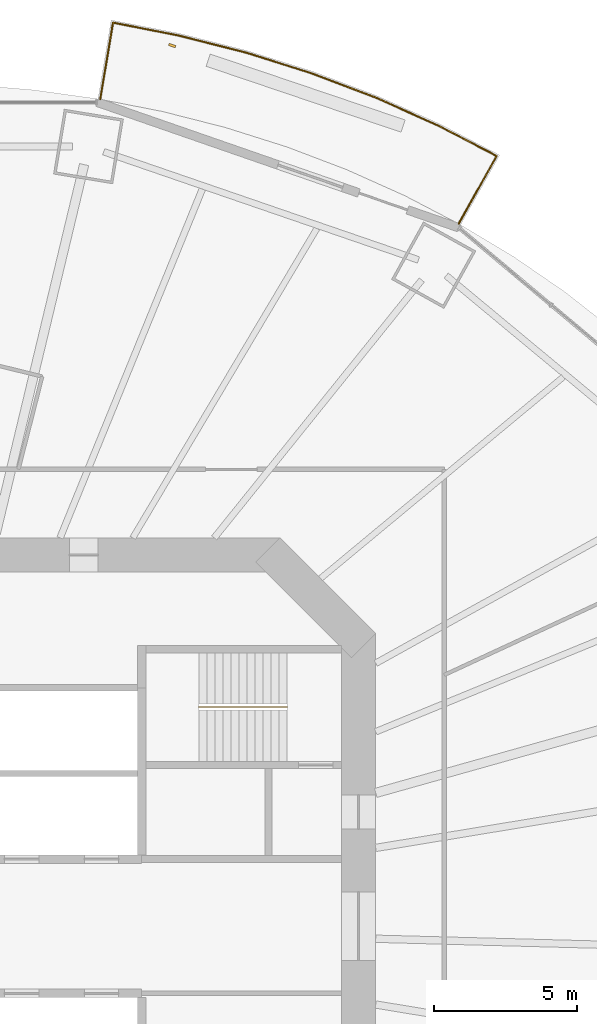
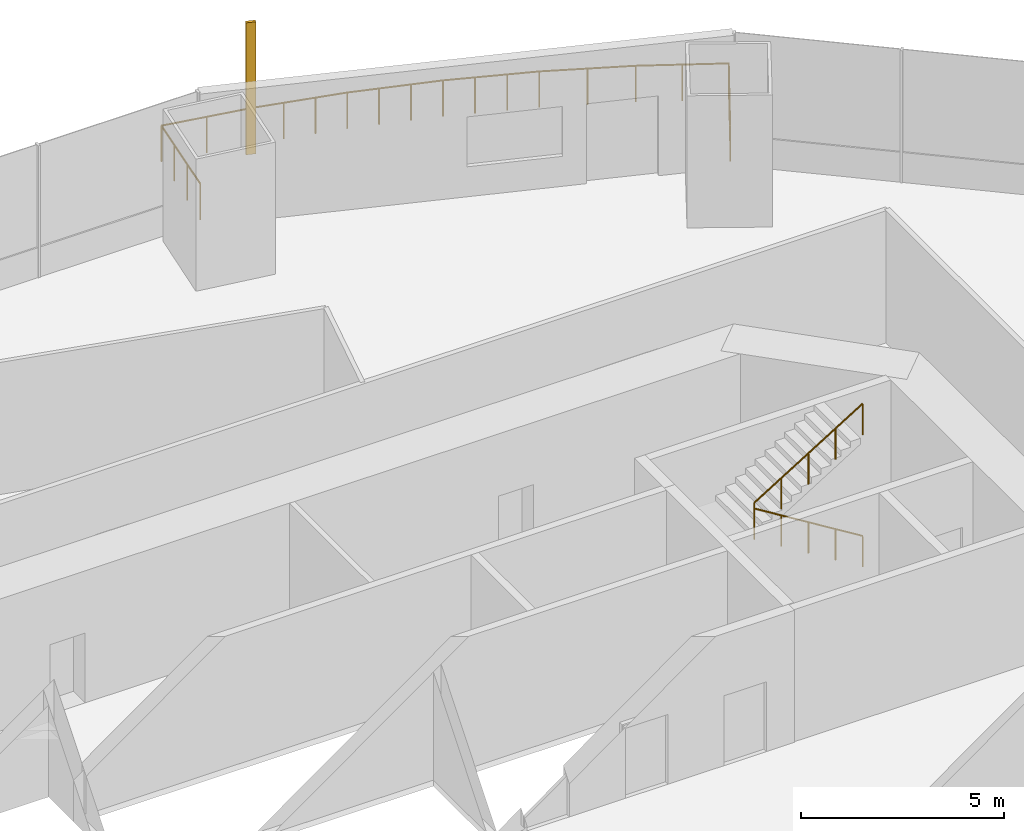
# One storey, part 20 of 22: 2 railings, 1 shading device.
"""IFC4 building model written with IfcOpenShell, lengths in metres."""

from ifc_helpers import new_model, si_unit, direction, frame, origin, origin_2d, place, context, subcontext, project, spatial, rectangle, circle, extrude, material, material_profile, profile_set, type_object, element, save


model = new_model("IFC4")

# Units and contexts
model_context = context("Model", 3, precision=1e-05, world=origin(), true_north=direction((0.0, 1.0)))
body_context = subcontext(model_context, "Body", "Model", "MODEL_VIEW")
ifc_project = project(units=[si_unit("LENGTHUNIT", "METRE"), si_unit("AREAUNIT", "SQUARE_METRE"), si_unit("VOLUMEUNIT", "CUBIC_METRE"), si_unit("PLANEANGLEUNIT", "RADIAN"), si_unit("MASSUNIT", "GRAM", prefix="KILO")], contexts=[model_context])

# Site, building, storey
site_placement = place(None, origin())
site = spatial("IfcSite", under=ifc_project, at=site_placement, CompositionType="ELEMENT")
building_placement = place(site_placement, origin())
building = spatial("IfcBuilding", under=site, at=building_placement, Name="Marenthal Gate Tower", CompositionType="ELEMENT")
storey_placement = place(building_placement, frame((0.0, 0.0, 91.10009765625)))
storey = spatial("IfcBuildingStorey", under=building, at=storey_placement, Name="L18", CompositionType="ELEMENT", Elevation=91.10009765625)

# Railings
ifc_material_1 = material(Name="Stainless steel", Category="steel")
railing_type_1 = type_object("IfcRailingType", Name="Balcony guard 1100", PredefinedType="GUARDRAIL", material=ifc_material_1)
railing_1_placement = place(storey_placement, frame((6.9521484375, 28.957275390625, 0.0)))
element("IfcRailing", 1, at=railing_1_placement, inside=storey, type_object=railing_type_1, Name="Balcony guard L18 bay 3", PredefinedType="GUARDRAIL", context=body_context, shape_type="SweptSolid", body=[
    extrude(circle(Radius=0.02392578125, at=origin_2d()), frame((0.0, 0.0, 1.076171875), z_axis=(0.164599482451, 0.986250661205, -0.014718819587), x_axis=(-0.986357511038, 0.164617315064, 0.0)), (0.0, 0.0, 1.0), 2.72021484375),
    extrude(circle(Radius=0.02392578125, at=origin_2d()), frame((0.44775390625, 2.682861328125, 1.0361328125), z_axis=(0.981243578155, -0.19277199052, 0.0), x_axis=(0.19277199052, 0.981243578155, 0.0)), (0.0, 0.0, 1.0), 2.359375),
    extrude(circle(Radius=0.02392578125, at=origin_2d()), frame((2.762939453125, 2.22802734375, 1.0361328125), z_axis=(0.969141273658, -0.246505966848, 0.0), x_axis=(0.246505966848, 0.969141273658, 0.0)), (0.0, 0.0, 1.0), 2.429443359375),
    extrude(circle(Radius=0.02392578125, at=origin_2d()), frame((5.117431640625, 1.629150390625, 1.0361328125), z_axis=(0.953649791478, -0.300918718616, 0.0), x_axis=(0.300918718616, 0.953649791478, 0.0)), (0.0, 0.0, 1.0), 2.417724609375),
    extrude(circle(Radius=0.02392578125, at=origin_2d()), frame((7.423095703125, 0.901611328125, 1.0361328125), z_axis=(0.934801116304, -0.355171610573, 0.0), x_axis=(0.355171610573, 0.934801116304, 0.0)), (0.0, 0.0, 1.0), 2.40380859375),
    extrude(circle(Radius=0.02392578125, at=origin_2d()), frame((9.670166015625, 0.0478515625, 1.0361328125), z_axis=(0.912542222384, -0.408982508631, 0.0), x_axis=(0.408982508631, 0.912542222384, 0.0)), (0.0, 0.0, 1.0), 2.3876953125),
    extrude(circle(Radius=0.02392578125, at=origin_2d()), frame((11.84912109375, -0.9287109375, 1.0361328125), z_axis=(0.887216801235, -0.461352736642, 0.0), x_axis=(0.461352736642, 0.887216801235, 0.0)), (0.0, 0.0, 1.0), 2.290771484375),
    extrude(circle(Radius=0.02392578125, at=origin_2d()), frame((13.881591796875, -1.985595703125, 1.0361328125), z_axis=(-0.489023148101, -0.872146623829, 0.01471825955), x_axis=(0.872241104505, -0.489076124557, 0.0)), (0.0, 0.0, 1.0), 2.720458984375),
    extrude(circle(Radius=0.02099609375, at=origin_2d()), origin(), (0.0, 0.0, 1.0), 1.052001953125),
    extrude(circle(Radius=0.02099609375, at=origin_2d()), frame((0.149169921875, 0.894287109375, -0.013427734375)), (0.0, 0.0, 1.0), 1.052001953125),
    extrude(circle(Radius=0.02099609375, at=origin_2d()), frame((0.298583984375, 1.78857421875, -0.026611328125)), (0.0, 0.0, 1.0), 1.052001953125),
    extrude(circle(Radius=0.02099609375, at=origin_2d()), frame((0.44775390625, 2.682861328125, -0.0400390625)), (0.0, 0.0, 1.0), 1.052001953125),
    extrude(circle(Radius=0.02099609375, at=origin_2d()), frame((1.60546875, 2.45556640625, -0.0400390625)), (0.0, 0.0, 1.0), 1.052001953125),
    extrude(circle(Radius=0.02099609375, at=origin_2d()), frame((2.762939453125, 2.22802734375, -0.0400390625)), (0.0, 0.0, 1.0), 1.052001953125),
    extrude(circle(Radius=0.02099609375, at=origin_2d()), frame((3.5478515625, 2.0283203125, -0.0400390625)), (0.0, 0.0, 1.0), 1.052001953125),
    extrude(circle(Radius=0.02099609375, at=origin_2d()), frame((4.33251953125, 1.828857421875, -0.0400390625)), (0.0, 0.0, 1.0), 1.052001953125),
    extrude(circle(Radius=0.02099609375, at=origin_2d()), frame((5.117431640625, 1.629150390625, -0.0400390625)), (0.0, 0.0, 1.0), 1.052001953125),
    extrude(circle(Radius=0.02099609375, at=origin_2d()), frame((5.885986328125, 1.38671875, -0.0400390625)), (0.0, 0.0, 1.0), 1.052001953125),
    extrude(circle(Radius=0.02099609375, at=origin_2d()), frame((6.654541015625, 1.14404296875, -0.0400390625)), (0.0, 0.0, 1.0), 1.052001953125),
    extrude(circle(Radius=0.02099609375, at=origin_2d()), frame((7.423095703125, 0.901611328125, -0.0400390625)), (0.0, 0.0, 1.0), 1.052001953125),
    extrude(circle(Radius=0.02099609375, at=origin_2d()), frame((8.172119140625, 0.616943359375, -0.0400390625)), (0.0, 0.0, 1.0), 1.052001953125),
    extrude(circle(Radius=0.02099609375, at=origin_2d()), frame((8.921142578125, 0.33251953125, -0.0400390625)), (0.0, 0.0, 1.0), 1.052001953125),
    extrude(circle(Radius=0.02099609375, at=origin_2d()), frame((9.670166015625, 0.0478515625, -0.0400390625)), (0.0, 0.0, 1.0), 1.052001953125),
    extrude(circle(Radius=0.02099609375, at=origin_2d()), frame((10.759765625, -0.4404296875, -0.0400390625)), (0.0, 0.0, 1.0), 1.052001953125),
    extrude(circle(Radius=0.02099609375, at=origin_2d()), frame((11.84912109375, -0.9287109375, -0.0400390625)), (0.0, 0.0, 1.0), 1.052001953125),
    extrude(circle(Radius=0.02099609375, at=origin_2d()), frame((12.865234375, -1.45703125, -0.0400390625)), (0.0, 0.0, 1.0), 1.052001953125),
    extrude(circle(Radius=0.02099609375, at=origin_2d()), frame((13.881591796875, -1.985595703125, -0.0400390625)), (0.0, 0.0, 1.0), 1.052001953125),
    extrude(circle(Radius=0.02099609375, at=origin_2d()), frame((13.438232421875, -2.7763671875, -0.026611328125)), (0.0, 0.0, 1.0), 1.052001953125),
    extrude(circle(Radius=0.02099609375, at=origin_2d()), frame((12.99462890625, -3.5673828125, -0.013427734375)), (0.0, 0.0, 1.0), 1.052001953125),
    extrude(circle(Radius=0.02099609375, at=origin_2d()), frame((12.55126953125, -4.358154296875, 0.0)), (0.0, 0.0, 1.0), 1.052001953125),
])
ifc_material_2 = material(Name="Stainless steel", Category="steel")
railing_type_2 = type_object("IfcRailingType", Name="Stair handrail", PredefinedType="HANDRAIL", material=ifc_material_2)
railing_2_placement = place(storey_placement, frame((13.5, 7.675048828125, 0.1728515625)))
element("IfcRailing", 2, at=railing_2_placement, inside=storey, type_object=railing_type_2, Name="Handrail ST3", PredefinedType="HANDRAIL", context=body_context, shape_type="SweptSolid", body=[
    extrude(circle(Radius=0.0224609375, at=origin_2d()), frame((0.0, 0.0, 0.927490234375), z_axis=(-0.850835241893, 0.0, 0.525432575268), x_axis=(0.0, -1.0, 0.0)), (0.0, 0.0, 1.0), 3.6201171875),
    extrude(circle(Radius=0.0224609375, at=origin_2d()), frame((-3.080078125, 0.0, 2.82958984375), z_axis=(0.0, 0.0, 1.0), x_axis=(1.0, 0.0, 0.0)), (0.0, 0.0, 1.0), 0.1728515625),
    extrude(circle(Radius=0.0224609375, at=origin_2d()), frame((-3.080078125, 0.0, 3.00244140625), z_axis=(0.850835241893, 0.0, 0.525432575268), x_axis=(0.0, 1.0, 0.0)), (0.0, 0.0, 1.0), 3.6201171875),
    extrude(circle(Radius=0.02001953125, at=origin_2d()), origin(), (0.0, 0.0, 1.0), 0.905029296875),
    extrude(circle(Radius=0.02001953125, at=origin_2d()), frame((-0.77001953125, 0.0, 0.4755859375)), (0.0, 0.0, 1.0), 0.905029296875),
    extrude(circle(Radius=0.02001953125, at=origin_2d()), frame((-1.5400390625, 0.0, 0.951171875)), (0.0, 0.0, 1.0), 0.905029296875),
    extrude(circle(Radius=0.02001953125, at=origin_2d()), frame((-2.31005859375, 0.0, 1.426513671875)), (0.0, 0.0, 1.0), 0.905029296875),
    extrude(circle(Radius=0.02001953125, at=origin_2d()), frame((-3.080078125, 0.0, 1.902099609375)), (0.0, 0.0, 1.0), 0.905029296875),
    extrude(circle(Radius=0.02001953125, at=origin_2d()), frame((-3.080078125, 0.0, 2.074951171875)), (0.0, 0.0, 1.0), 0.905029296875),
    extrude(circle(Radius=0.02001953125, at=origin_2d()), frame((-2.31005859375, 0.0, 2.550537109375)), (0.0, 0.0, 1.0), 0.905029296875),
    extrude(circle(Radius=0.02001953125, at=origin_2d()), frame((-1.5400390625, 0.0, 3.02587890625)), (0.0, 0.0, 1.0), 0.905029296875),
    extrude(circle(Radius=0.02001953125, at=origin_2d()), frame((-0.77001953125, 0.0, 3.50146484375)), (0.0, 0.0, 1.0), 0.905029296875),
    extrude(circle(Radius=0.02001953125, at=origin_2d()), frame((0.0, 0.0, 3.97705078125)), (0.0, 0.0, 1.0), 0.905029296875),
])

# Shading device
ifc_material_3 = material(Name="Terracotta", Category="masonry")
ifc_material_profile = material_profile(ifc_material_3, rectangle(XDim=0.25, YDim=0.080078125, at=origin_2d()), Name="Terracotta baguette 250x80")
ifc_profile_set = profile_set([ifc_material_profile], Name="Terracotta")
shading_device_type = type_object("IfcShadingDeviceType", Name="Terracotta BAGUETTE SCREEN 250x80", PredefinedType="USERDEFINED", material=ifc_profile_set)
shading_device_placement = place(storey_placement, frame((9.471923828125, 30.837646484375, -0.0400390625), z_axis=(0.0, 0.0, 1.0), x_axis=(-0.944634232614, 0.328125230017, 0.0)))
element("IfcShadingDevice", 3, at=shading_device_placement, inside=storey, type_object=shading_device_type, Name="Terracotta BAGUETTE L18 bay 3R", ObjectType="BAGUETTE SCREEN", PredefinedType="USERDEFINED", context=body_context, shape_type="SweptSolid", body=[
    extrude(rectangle(XDim=0.25, YDim=0.080078125, at=origin_2d()), origin(), (0.0, 0.0, 1.0), 3.969970703125),
])

save(model, "model.ifc")
